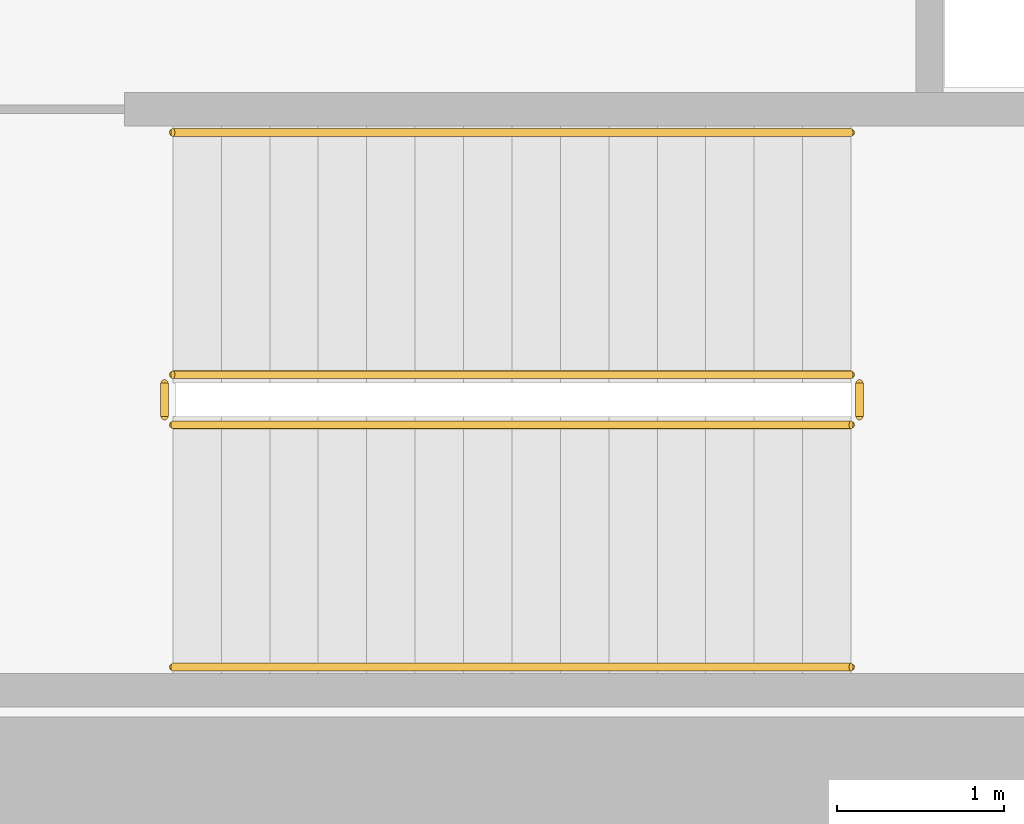
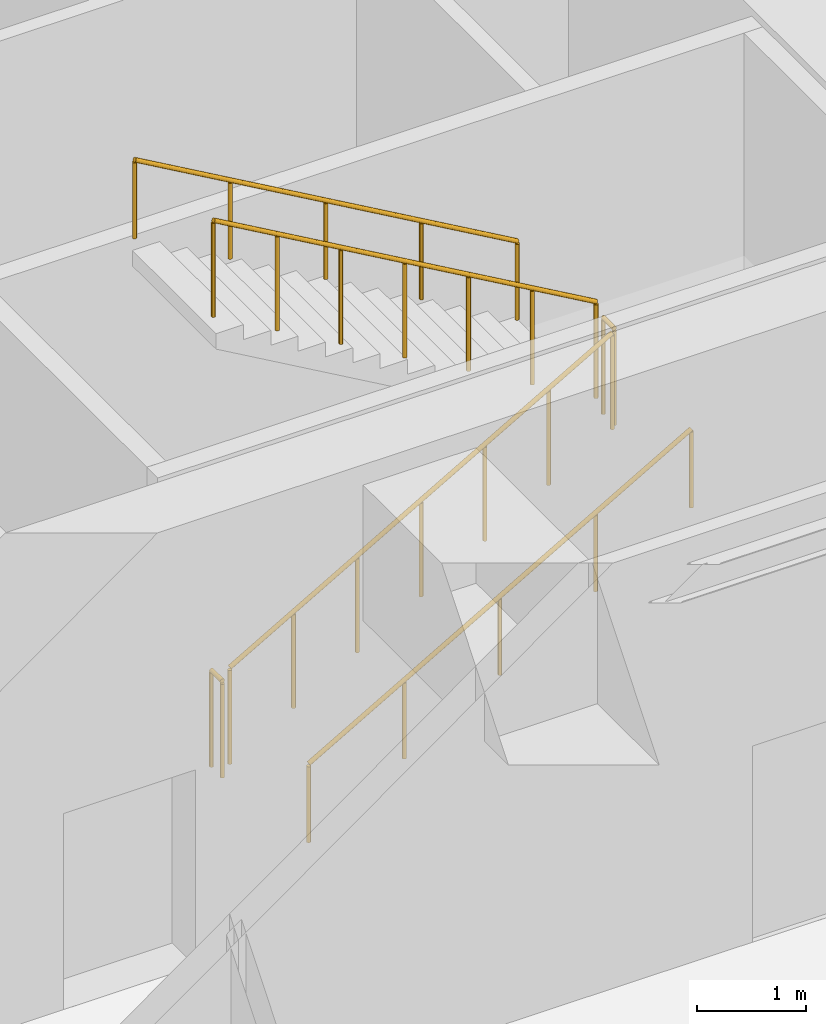
# One storey, part 27 of 28: 6 railings.
"""IFC4 building model written with IfcOpenShell, lengths in metres."""

import ifcopenshell
import ifcopenshell.guid

model = None  # the IFC model being written
_history = None  # IfcOwnerHistory: only IFC2X3 demands one
_inside = {}  # id of a spatial element -> (the spatial element, [elements in it])
_under = {}  # id of a project, library or spatial element -> (it, [spatial elements below it])
_declared = {}  # id of a project -> (the project, [libraries it declares])
_typed = {}  # id of a type object -> (the type object, [elements of that type])
_made_of = {}  # id of a material, layer set ... -> (it, [elements and type objects made of it])


def new_model(schema):
    """Start an empty IFC model of exactly this schema.

    Asked for "IFC4X3", IfcOpenShell would pick the latest addendum, in which some entities
    have other attributes; the version numbers below select the first issue.
    IFC2X3 requires an IfcOwnerHistory on every rooted entity: one is made here for all.
    """
    global model, _history
    if schema == "IFC4X3":
        model = ifcopenshell.file(schema_version=(4, 3, 0, 0))
    else:
        model = ifcopenshell.file(schema=schema)
    _inside.clear()
    _under.clear()
    _declared.clear()
    _typed.clear()
    _made_of.clear()
    _history = None
    if model.schema == "IFC2X3":
        org = make("IfcOrganization", Name="unknown")
        user = make(
            "IfcPersonAndOrganization",
            ThePerson=make("IfcPerson", FamilyName="unknown"),
            TheOrganization=org,
        )
        app = make(
            "IfcApplication",
            ApplicationDeveloper=org,
            Version="unknown",
            ApplicationFullName="unknown",
            ApplicationIdentifier="unknown",
        )
        _history = make(
            "IfcOwnerHistory",
            OwningUser=user,
            OwningApplication=app,
            ChangeAction="ADDED",
            CreationDate=0,
        )
    return model


def make(cls, **values):
    """One entity of the class cls with the attributes given. An attribute that is None is left unset."""
    return model.create_entity(
        cls, **{name: value for name, value in values.items() if value is not None}
    )


def rooted(cls, **values):
    """An entity with a GlobalId (a new one), such as an element, a storey or a relation."""
    return make(cls, GlobalId=ifcopenshell.guid.new(), OwnerHistory=_history, **values)


def si_unit(unit_type, name, prefix=None):
    """IfcSIUnit, for example si_unit("LENGTHUNIT", "METRE", prefix="MILLI")."""
    return make("IfcSIUnit", UnitType=unit_type, Prefix=prefix, Name=name)


def assignment(units):
    """IfcUnitAssignment: the units of a project."""
    return None if units is None else make("IfcUnitAssignment", Units=units)


def point(xyz):
    """IfcCartesianPoint."""
    return None if xyz is None else make("IfcCartesianPoint", Coordinates=xyz)


def direction(xyz):
    """IfcDirection."""
    return None if xyz is None else make("IfcDirection", DirectionRatios=xyz)


def frame(location, z_axis=None, x_axis=None):
    """IfcAxis2Placement3D, a coordinate frame: its origin and axes. An axis left out is left unset."""
    return make(
        "IfcAxis2Placement3D",
        Location=point(location),
        Axis=direction(z_axis),
        RefDirection=direction(x_axis),
    )


def frame_2d(location, x_axis=None):
    """IfcAxis2Placement2D, a coordinate frame in the plane: its origin and x axis."""
    return make(
        "IfcAxis2Placement2D", Location=point(location), RefDirection=direction(x_axis)
    )


def origin():
    """The frame at (0, 0, 0) with its axes left unset."""
    return frame((0.0, 0.0, 0.0))


def origin_2d():
    """The frame at (0, 0) in the plane with its x axis left unset."""
    return frame_2d((0.0, 0.0))


def place(relative_to, where):
    """IfcLocalPlacement: puts the frame where relative to a parent placement (None: the world)."""
    return make(
        "IfcLocalPlacement", PlacementRelTo=relative_to, RelativePlacement=where
    )


def context(
    kind, dimensions, precision=None, world=None, true_north=None, identifier=None
):
    """IfcGeometricRepresentationContext, for example the 3D "Model" context."""
    return make(
        "IfcGeometricRepresentationContext",
        ContextIdentifier=identifier,
        ContextType=kind,
        CoordinateSpaceDimension=dimensions,
        Precision=precision,
        WorldCoordinateSystem=world,
        TrueNorth=true_north,
    )


def subcontext(parent, identifier, kind, view, scale=None):
    """IfcGeometricRepresentationSubContext, for example "Body" below "Model"."""
    return make(
        "IfcGeometricRepresentationSubContext",
        ContextIdentifier=identifier,
        ContextType=kind,
        ParentContext=parent,
        TargetScale=scale,
        TargetView=view,
    )


def project(units=None, contexts=None):
    """IfcProject with its units and contexts."""
    return rooted(
        "IfcProject",
        Name="project",
        RepresentationContexts=contexts,
        UnitsInContext=assignment(units),
    )


def spatial(cls, under=None, at=None, **own):
    """A site, building, storey or space (cls), placed at a placement, below another one or the project."""
    s = rooted(cls, ObjectPlacement=at, **own)
    if under is not None:
        _under.setdefault(under.id(), (under, []))[1].append(s)
    return s


def profile(cls, at=None, kind="AREA", **sizes):
    """A parametric profile (cls). Its sizes go by their IFC names, for example OverallWidth=200.0."""
    return make(cls, ProfileType=kind, Position=at, **sizes)


def circle(**sizes):
    """IfcCircleProfileDef."""
    return profile("IfcCircleProfileDef", **sizes)


def extrude(swept, where, along, depth):
    """IfcExtrudedAreaSolid: the profile swept, set in the frame where, extruded along a direction by depth."""
    return make(
        "IfcExtrudedAreaSolid",
        SweptArea=swept,
        Position=where,
        ExtrudedDirection=direction(along),
        Depth=depth,
    )


def shape(context_of_items, identifier, shape_type, items):
    """IfcShapeRepresentation: the items that make up one representation, for example the "Body"."""
    return make(
        "IfcShapeRepresentation",
        ContextOfItems=context_of_items,
        RepresentationIdentifier=identifier,
        RepresentationType=shape_type,
        Items=items,
    )


def material(Name=None, Category=None):
    """IfcMaterial."""
    return make("IfcMaterial", Name=Name, Category=Category)


def made_of(thing, what):
    """Note that an element or type object is made of a material, layer set ...; save() writes the relation."""
    if what is not None:
        _made_of.setdefault(what.id(), (what, []))[1].append(thing)
    return thing


def type_object(cls, material=None, **own):
    """A type object (cls), such as IfcWallType, which elements share."""
    return made_of(rooted(cls, **own), material)


def element(
    cls,
    number,
    at=None,
    inside=None,
    cuts=None,
    type_object=None,
    material=None,
    context=None,
    identifier="Body",
    shape_type=None,
    held_by="IfcProductDefinitionShape",
    body=None,
    shapes=None,
    **own,
):
    """One element of the class cls, such as IfcWall. Its Tag is "e" and its number.

    at: its placement. inside: the storey or other place that contains it. cuts: it is an
    opening in that element (IfcRelVoidsElement). A single representation is given by context,
    identifier, shape_type and body (its items); several are given by shapes. held_by: the class
    of the entity that holds the representations. save() writes the other relations.
    """
    e = rooted(cls, Tag="e%d" % number, ObjectPlacement=at, **own)
    if body is not None:
        shapes = [shape(context, identifier, shape_type, body)]
    if shapes is not None:
        e.Representation = make(held_by, Representations=shapes)
    if inside is not None:
        _inside.setdefault(inside.id(), (inside, []))[1].append(e)
    if cuts is not None:
        rooted(
            "IfcRelVoidsElement", RelatingBuildingElement=cuts, RelatedOpeningElement=e
        )
    if type_object is not None:
        _typed.setdefault(type_object.id(), (type_object, []))[1].append(e)
    return made_of(e, material)


def aggregate(whole, parts):
    """IfcRelAggregates: a whole, such as a stair, and the parts it consists of."""
    return rooted("IfcRelAggregates", RelatingObject=whole, RelatedObjects=parts)


def save(model, path):
    """Write the relations noted so far, then the file.

    IfcRelAggregates (storeys below a building ...), IfcRelContainedInSpatialStructure (elements
    in a storey), IfcRelDefinesByType, IfcRelAssociatesMaterial and IfcRelDeclares: one each for
    every whole, place, type object, material and project.
    """
    for whole, parts in _under.values():
        aggregate(whole, parts)
    for where, things in _inside.values():
        rooted(
            "IfcRelContainedInSpatialStructure",
            RelatedElements=things,
            RelatingStructure=where,
        )
    for kind, things in _typed.values():
        rooted("IfcRelDefinesByType", RelatedObjects=things, RelatingType=kind)
    for what, things in _made_of.values():
        rooted("IfcRelAssociatesMaterial", RelatedObjects=things, RelatingMaterial=what)
    for by, libraries in _declared.values():
        rooted("IfcRelDeclares", RelatingContext=by, RelatedDefinitions=libraries)
    model.write(path)


model = new_model("IFC4")

# Units and contexts
model_context = context("Model", 3, precision=1e-05, world=origin(), true_north=direction((0.0, 1.0)))
body_context = subcontext(model_context, "Body", "Model", "MODEL_VIEW")
ifc_project = project(units=[si_unit("LENGTHUNIT", "METRE"), si_unit("AREAUNIT", "SQUARE_METRE"), si_unit("VOLUMEUNIT", "CUBIC_METRE"), si_unit("PLANEANGLEUNIT", "RADIAN"), si_unit("MASSUNIT", "GRAM", prefix="KILO")], contexts=[model_context])

# Site, building, storey
site_placement = place(None, origin())
site = spatial("IfcSite", under=ifc_project, at=site_placement, CompositionType="ELEMENT")
building_placement = place(site_placement, origin())
building = spatial("IfcBuilding", under=site, at=building_placement, Name="Putna Gate Headquarters", CompositionType="ELEMENT")
storey_placement = place(building_placement, frame((0.0, 0.0, 139.199951171875)))
storey = spatial("IfcBuildingStorey", under=building, at=storey_placement, Name="L34", CompositionType="ELEMENT", Elevation=139.199951171875)

# Railings
ifc_material_1 = material(Name="Powder-coated steel stair guardrail", Category="steel")
railing_type_1 = type_object("IfcRailingType", Name="RAIL-STAIR-GUARD-1100", PredefinedType="GUARDRAIL", material=ifc_material_1)
railing_1_placement = place(storey_placement, frame((57.89990234375, 21.10009765625, 0.166748046875)))
element("IfcRailing", 1, at=railing_1_placement, inside=storey, type_object=railing_type_1, Name="L34 ST2 stair guard 1", PredefinedType="GUARDRAIL", context=body_context, shape_type="SweptSolid", body=[
    extrude(circle(Radius=0.02392578125, at=origin_2d()), frame((0.0, 0.0, 1.076171875), z_axis=(0.867024558463, 0.0, 0.498265406207), x_axis=(0.0, 1.0, 0.0)), (0.0, 0.0, 1.0), 4.682861328125),
    extrude(circle(Radius=0.02099609375, at=origin_2d()), origin(), (0.0, 0.0, 1.0), 1.052001953125),
    extrude(circle(Radius=0.02099609375, at=origin_2d()), frame((0.6767578125, 0.0, 0.388916015625)), (0.0, 0.0, 1.0), 1.052001953125),
    extrude(circle(Radius=0.02099609375, at=origin_2d()), frame((1.353271484375, 0.0, 0.77783203125)), (0.0, 0.0, 1.0), 1.052001953125),
    extrude(circle(Radius=0.02099609375, at=origin_2d()), frame((2.030029296875, 0.0, 1.16650390625)), (0.0, 0.0, 1.0), 1.052001953125),
    extrude(circle(Radius=0.02099609375, at=origin_2d()), frame((2.706787109375, 0.0, 1.555419921875)), (0.0, 0.0, 1.0), 1.052001953125),
    extrude(circle(Radius=0.02099609375, at=origin_2d()), frame((3.38330078125, 0.0, 1.9443359375)), (0.0, 0.0, 1.0), 1.052001953125),
    extrude(circle(Radius=0.02099609375, at=origin_2d()), frame((4.06005859375, 0.0, 2.333251953125)), (0.0, 0.0, 1.0), 1.052001953125),
])
railing_2_placement = place(storey_placement, frame((62.010009765625, 21.14990234375, 2.5)))
element("IfcRailing", 2, at=railing_2_placement, inside=storey, type_object=railing_type_1, Name="L34 ST2 stair guard 2", PredefinedType="GUARDRAIL", context=body_context, shape_type="SweptSolid", body=[
    extrude(circle(Radius=0.02392578125, at=origin_2d()), frame((0.0, 0.0, 1.076171875), z_axis=(0.0, 1.0, 0.0), x_axis=(-1.0, 0.0, 0.0)), (0.0, 0.0, 1.0), 0.2001953125),
    extrude(circle(Radius=0.02099609375, at=origin_2d()), origin(), (0.0, 0.0, 1.0), 1.052001953125),
    extrude(circle(Radius=0.02099609375, at=origin_2d()), frame((0.0, 0.2001953125, 0.0)), (0.0, 0.0, 1.0), 1.052001953125),
])
railing_3_placement = place(storey_placement, frame((61.9599609375, 21.39990234375, 2.666748046875)))
element("IfcRailing", 3, at=railing_3_placement, inside=storey, type_object=railing_type_1, Name="L34 ST2 stair guard 3", PredefinedType="GUARDRAIL", context=body_context, shape_type="SweptSolid", body=[
    extrude(circle(Radius=0.02392578125, at=origin_2d()), frame((0.0, 0.0, 1.076171875), z_axis=(-0.867024558463, 0.0, 0.498265406207), x_axis=(0.0, -1.0, 0.0)), (0.0, 0.0, 1.0), 4.682861328125),
    extrude(circle(Radius=0.02099609375, at=origin_2d()), origin(), (0.0, 0.0, 1.0), 1.052001953125),
    extrude(circle(Radius=0.02099609375, at=origin_2d()), frame((-0.6767578125, 0.0, 0.388916015625)), (0.0, 0.0, 1.0), 1.052001953125),
    extrude(circle(Radius=0.02099609375, at=origin_2d()), frame((-1.353271484375, 0.0, 0.77783203125)), (0.0, 0.0, 1.0), 1.052001953125),
    extrude(circle(Radius=0.02099609375, at=origin_2d()), frame((-2.030029296875, 0.0, 1.16650390625)), (0.0, 0.0, 1.0), 1.052001953125),
    extrude(circle(Radius=0.02099609375, at=origin_2d()), frame((-2.706787109375, 0.0, 1.555419921875)), (0.0, 0.0, 1.0), 1.052001953125),
    extrude(circle(Radius=0.02099609375, at=origin_2d()), frame((-3.38330078125, 0.0, 1.9443359375)), (0.0, 0.0, 1.0), 1.052001953125),
    extrude(circle(Radius=0.02099609375, at=origin_2d()), frame((-4.06005859375, 0.0, 2.333251953125)), (0.0, 0.0, 1.0), 1.052001953125),
])
railing_4_placement = place(storey_placement, frame((57.85009765625, 21.14990234375, 0.0)))
element("IfcRailing", 4, at=railing_4_placement, inside=storey, type_object=railing_type_1, Name="L34 ST2 stair guard 4", PredefinedType="GUARDRAIL", context=body_context, shape_type="SweptSolid", body=[
    extrude(circle(Radius=0.02392578125, at=origin_2d()), frame((0.0, 0.0, 1.076171875), z_axis=(0.0, 1.0, 0.0), x_axis=(-1.0, 0.0, 0.0)), (0.0, 0.0, 1.0), 0.2001953125),
    extrude(circle(Radius=0.02099609375, at=origin_2d()), origin(), (0.0, 0.0, 1.0), 1.052001953125),
    extrude(circle(Radius=0.02099609375, at=origin_2d()), frame((0.0, 0.2001953125, 0.0)), (0.0, 0.0, 1.0), 1.052001953125),
])
ifc_material_2 = material(Name="Brushed stainless steel handrail", Category="steel")
railing_type_2 = type_object("IfcRailingType", Name="RAIL-STAIR-HAND-900", PredefinedType="HANDRAIL", material=ifc_material_2)
railing_5_placement = place(storey_placement, frame((57.89990234375, 19.64990234375, 0.166748046875)))
element("IfcRailing", 5, at=railing_5_placement, inside=storey, type_object=railing_type_2, Name="L34 ST2 stair handrail 1", PredefinedType="HANDRAIL", context=body_context, shape_type="SweptSolid", body=[
    extrude(circle(Radius=0.02392578125, at=origin_2d()), frame((0.0, 0.0, 0.8759765625), z_axis=(0.867024558463, 0.0, 0.498265406207), x_axis=(0.0, 1.0, 0.0)), (0.0, 0.0, 1.0), 4.682861328125),
    extrude(circle(Radius=0.02099609375, at=origin_2d()), origin(), (0.0, 0.0, 1.0), 0.851806640625),
    extrude(circle(Radius=0.02099609375, at=origin_2d()), frame((1.01513671875, 0.0, 0.583251953125)), (0.0, 0.0, 1.0), 0.851806640625),
    extrude(circle(Radius=0.02099609375, at=origin_2d()), frame((2.030029296875, 0.0, 1.16650390625)), (0.0, 0.0, 1.0), 0.851806640625),
    extrude(circle(Radius=0.02099609375, at=origin_2d()), frame((3.044921875, 0.0, 1.75)), (0.0, 0.0, 1.0), 0.851806640625),
    extrude(circle(Radius=0.02099609375, at=origin_2d()), frame((4.06005859375, 0.0, 2.333251953125)), (0.0, 0.0, 1.0), 0.851806640625),
])
railing_6_placement = place(storey_placement, frame((61.9599609375, 22.85009765625, 2.666748046875)))
element("IfcRailing", 6, at=railing_6_placement, inside=storey, type_object=railing_type_2, Name="L34 ST2 stair handrail 2", PredefinedType="HANDRAIL", context=body_context, shape_type="SweptSolid", body=[
    extrude(circle(Radius=0.02392578125, at=origin_2d()), frame((0.0, 0.0, 0.8759765625), z_axis=(-0.867024558463, 0.0, 0.498265406207), x_axis=(0.0, -1.0, 0.0)), (0.0, 0.0, 1.0), 4.682861328125),
    extrude(circle(Radius=0.02099609375, at=origin_2d()), origin(), (0.0, 0.0, 1.0), 0.851806640625),
    extrude(circle(Radius=0.02099609375, at=origin_2d()), frame((-1.01513671875, 0.0, 0.583251953125)), (0.0, 0.0, 1.0), 0.851806640625),
    extrude(circle(Radius=0.02099609375, at=origin_2d()), frame((-2.030029296875, 0.0, 1.16650390625)), (0.0, 0.0, 1.0), 0.851806640625),
    extrude(circle(Radius=0.02099609375, at=origin_2d()), frame((-3.044921875, 0.0, 1.75)), (0.0, 0.0, 1.0), 0.851806640625),
    extrude(circle(Radius=0.02099609375, at=origin_2d()), frame((-4.06005859375, 0.0, 2.333251953125)), (0.0, 0.0, 1.0), 0.851806640625),
])

save(model, "model.ifc")
